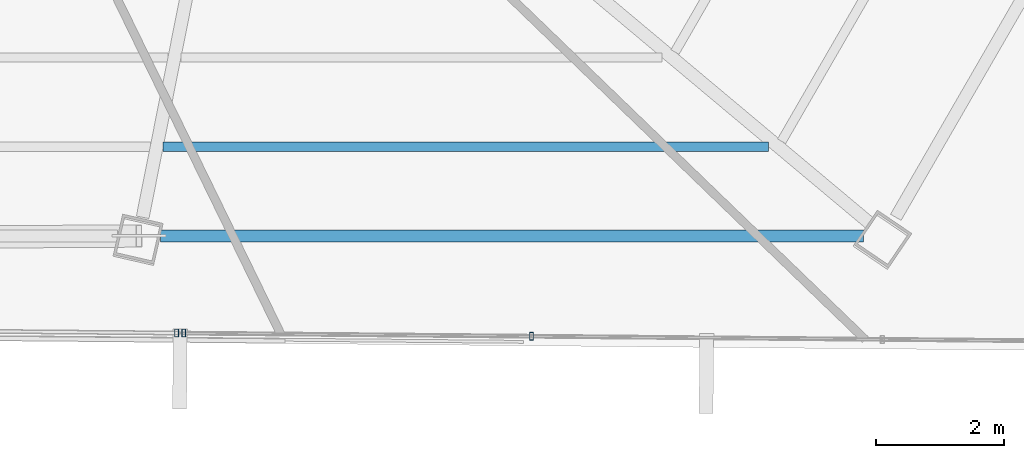
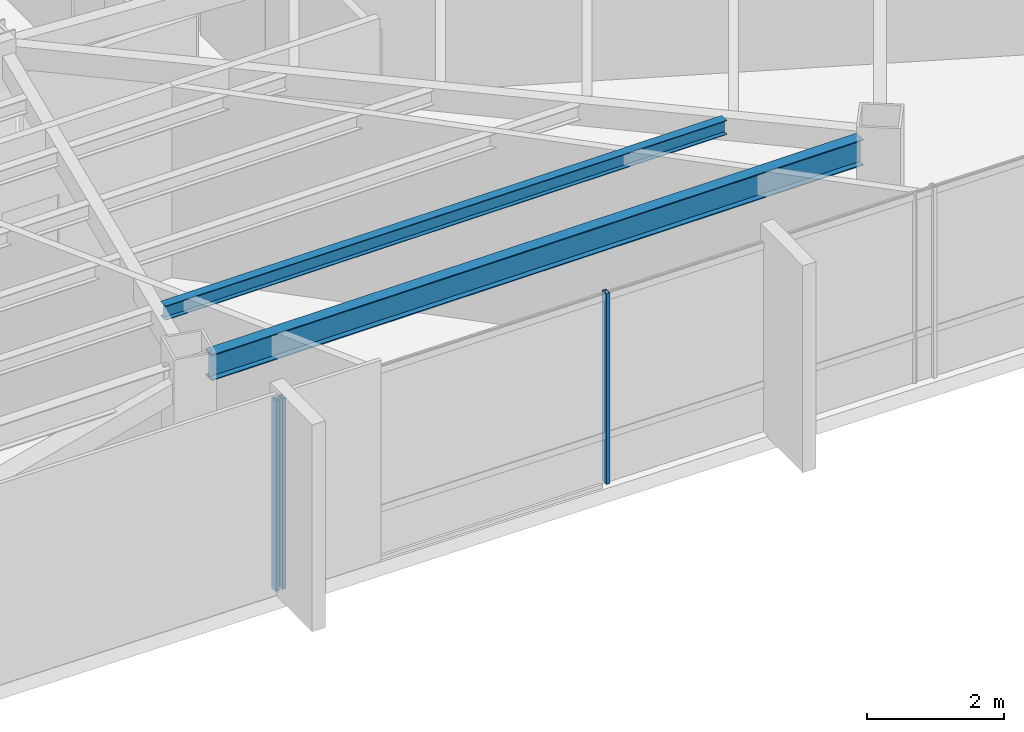
# One storey, part 21 of 46: 3 members, 2 beams, 2 elements without a shape of their own.
"""IFC4 building model written with IfcOpenShell, lengths in metres."""

import ifcopenshell
import ifcopenshell.guid

model = None  # the IFC model being written
_history = None  # IfcOwnerHistory: only IFC2X3 demands one
_inside = {}  # id of a spatial element -> (the spatial element, [elements in it])
_under = {}  # id of a project, library or spatial element -> (it, [spatial elements below it])
_declared = {}  # id of a project -> (the project, [libraries it declares])
_typed = {}  # id of a type object -> (the type object, [elements of that type])
_made_of = {}  # id of a material, layer set ... -> (it, [elements and type objects made of it])


def new_model(schema):
    """Start an empty IFC model of exactly this schema.

    Asked for "IFC4X3", IfcOpenShell would pick the latest addendum, in which some entities
    have other attributes; the version numbers below select the first issue.
    IFC2X3 requires an IfcOwnerHistory on every rooted entity: one is made here for all.
    """
    global model, _history
    if schema == "IFC4X3":
        model = ifcopenshell.file(schema_version=(4, 3, 0, 0))
    else:
        model = ifcopenshell.file(schema=schema)
    _inside.clear()
    _under.clear()
    _declared.clear()
    _typed.clear()
    _made_of.clear()
    _history = None
    if model.schema == "IFC2X3":
        org = make("IfcOrganization", Name="unknown")
        user = make(
            "IfcPersonAndOrganization",
            ThePerson=make("IfcPerson", FamilyName="unknown"),
            TheOrganization=org,
        )
        app = make(
            "IfcApplication",
            ApplicationDeveloper=org,
            Version="unknown",
            ApplicationFullName="unknown",
            ApplicationIdentifier="unknown",
        )
        _history = make(
            "IfcOwnerHistory",
            OwningUser=user,
            OwningApplication=app,
            ChangeAction="ADDED",
            CreationDate=0,
        )
    return model


def make(cls, **values):
    """One entity of the class cls with the attributes given. An attribute that is None is left unset."""
    return model.create_entity(
        cls, **{name: value for name, value in values.items() if value is not None}
    )


def rooted(cls, **values):
    """An entity with a GlobalId (a new one), such as an element, a storey or a relation."""
    return make(cls, GlobalId=ifcopenshell.guid.new(), OwnerHistory=_history, **values)


def si_unit(unit_type, name, prefix=None):
    """IfcSIUnit, for example si_unit("LENGTHUNIT", "METRE", prefix="MILLI")."""
    return make("IfcSIUnit", UnitType=unit_type, Prefix=prefix, Name=name)


def assignment(units):
    """IfcUnitAssignment: the units of a project."""
    return None if units is None else make("IfcUnitAssignment", Units=units)


def point(xyz):
    """IfcCartesianPoint."""
    return None if xyz is None else make("IfcCartesianPoint", Coordinates=xyz)


def direction(xyz):
    """IfcDirection."""
    return None if xyz is None else make("IfcDirection", DirectionRatios=xyz)


def frame(location, z_axis=None, x_axis=None):
    """IfcAxis2Placement3D, a coordinate frame: its origin and axes. An axis left out is left unset."""
    return make(
        "IfcAxis2Placement3D",
        Location=point(location),
        Axis=direction(z_axis),
        RefDirection=direction(x_axis),
    )


def frame_2d(location, x_axis=None):
    """IfcAxis2Placement2D, a coordinate frame in the plane: its origin and x axis."""
    return make(
        "IfcAxis2Placement2D", Location=point(location), RefDirection=direction(x_axis)
    )


def origin():
    """The frame at (0, 0, 0) with its axes left unset."""
    return frame((0.0, 0.0, 0.0))


def origin_2d():
    """The frame at (0, 0) in the plane with its x axis left unset."""
    return frame_2d((0.0, 0.0))


def place(relative_to, where):
    """IfcLocalPlacement: puts the frame where relative to a parent placement (None: the world)."""
    return make(
        "IfcLocalPlacement", PlacementRelTo=relative_to, RelativePlacement=where
    )


def context(
    kind, dimensions, precision=None, world=None, true_north=None, identifier=None
):
    """IfcGeometricRepresentationContext, for example the 3D "Model" context."""
    return make(
        "IfcGeometricRepresentationContext",
        ContextIdentifier=identifier,
        ContextType=kind,
        CoordinateSpaceDimension=dimensions,
        Precision=precision,
        WorldCoordinateSystem=world,
        TrueNorth=true_north,
    )


def subcontext(parent, identifier, kind, view, scale=None):
    """IfcGeometricRepresentationSubContext, for example "Body" below "Model"."""
    return make(
        "IfcGeometricRepresentationSubContext",
        ContextIdentifier=identifier,
        ContextType=kind,
        ParentContext=parent,
        TargetScale=scale,
        TargetView=view,
    )


def project(units=None, contexts=None):
    """IfcProject with its units and contexts."""
    return rooted(
        "IfcProject",
        Name="project",
        RepresentationContexts=contexts,
        UnitsInContext=assignment(units),
    )


def spatial(cls, under=None, at=None, **own):
    """A site, building, storey or space (cls), placed at a placement, below another one or the project."""
    s = rooted(cls, ObjectPlacement=at, **own)
    if under is not None:
        _under.setdefault(under.id(), (under, []))[1].append(s)
    return s


def profile(cls, at=None, kind="AREA", **sizes):
    """A parametric profile (cls). Its sizes go by their IFC names, for example OverallWidth=200.0."""
    return make(cls, ProfileType=kind, Position=at, **sizes)


def hollow_rectangle(**sizes):
    """IfcRectangleHollowProfileDef."""
    return profile("IfcRectangleHollowProfileDef", **sizes)


def i_section(**sizes):
    """IfcIShapeProfileDef."""
    return profile("IfcIShapeProfileDef", **sizes)


def extrude(swept, where, along, depth):
    """IfcExtrudedAreaSolid: the profile swept, set in the frame where, extruded along a direction by depth."""
    return make(
        "IfcExtrudedAreaSolid",
        SweptArea=swept,
        Position=where,
        ExtrudedDirection=direction(along),
        Depth=depth,
    )


def shape(context_of_items, identifier, shape_type, items):
    """IfcShapeRepresentation: the items that make up one representation, for example the "Body"."""
    return make(
        "IfcShapeRepresentation",
        ContextOfItems=context_of_items,
        RepresentationIdentifier=identifier,
        RepresentationType=shape_type,
        Items=items,
    )


def source(mapping_origin, context_of_items, identifier, shape_type, items):
    """IfcRepresentationMap: a shape defined once, which mapped items show again and again."""
    return make(
        "IfcRepresentationMap",
        MappingOrigin=mapping_origin,
        MappedRepresentation=shape(context_of_items, identifier, shape_type, items),
    )


def transform(
    local_origin,
    x_axis=None,
    y_axis=None,
    z_axis=None,
    scale=None,
    scale2=None,
    scale3=None,
    uniform=True,
):
    """IfcCartesianTransformationOperator3D, or its non-uniform kind. x_axis, y_axis, z_axis: its Axis1, 2, 3."""
    if uniform:
        return make(
            "IfcCartesianTransformationOperator3D",
            Axis1=direction(x_axis),
            Axis2=direction(y_axis),
            LocalOrigin=point(local_origin),
            Scale=scale,
            Axis3=direction(z_axis),
        )
    return make(
        "IfcCartesianTransformationOperator3DnonUniform",
        Axis1=direction(x_axis),
        Axis2=direction(y_axis),
        LocalOrigin=point(local_origin),
        Scale=scale,
        Axis3=direction(z_axis),
        Scale2=scale2,
        Scale3=scale3,
    )


def mapped(mapping_source, mapping_target):
    """IfcMappedItem: shows the shape of a source again, moved by a transform."""
    return make(
        "IfcMappedItem", MappingSource=mapping_source, MappingTarget=mapping_target
    )


def material(Name=None, Category=None):
    """IfcMaterial."""
    return make("IfcMaterial", Name=Name, Category=Category)


def material_profile(
    of_material, cross_section, Name=None, Category=None, Priority=None
):
    """IfcMaterialProfile: a cross section and its material."""
    return make(
        "IfcMaterialProfile",
        Name=Name,
        Material=of_material,
        Profile=cross_section,
        Priority=Priority,
        Category=Category,
    )


def profile_set(profiles, Name=None, composite=None):
    """IfcMaterialProfileSet."""
    return make(
        "IfcMaterialProfileSet",
        Name=Name,
        MaterialProfiles=profiles,
        CompositeProfile=composite,
    )


def made_of(thing, what):
    """Note that an element or type object is made of a material, layer set ...; save() writes the relation."""
    if what is not None:
        _made_of.setdefault(what.id(), (what, []))[1].append(thing)
    return thing


def type_object(cls, material=None, **own):
    """A type object (cls), such as IfcWallType, which elements share."""
    return made_of(rooted(cls, **own), material)


def type_shapes(of_type, sources):
    """Give a type object the sources (RepresentationMaps) that its elements show as mapped items."""
    of_type.RepresentationMaps = sources


def element(
    cls,
    number,
    at=None,
    inside=None,
    cuts=None,
    type_object=None,
    material=None,
    context=None,
    identifier="Body",
    shape_type=None,
    held_by="IfcProductDefinitionShape",
    body=None,
    shapes=None,
    **own,
):
    """One element of the class cls, such as IfcWall. Its Tag is "e" and its number.

    at: its placement. inside: the storey or other place that contains it. cuts: it is an
    opening in that element (IfcRelVoidsElement). A single representation is given by context,
    identifier, shape_type and body (its items); several are given by shapes. held_by: the class
    of the entity that holds the representations. save() writes the other relations.
    """
    e = rooted(cls, Tag="e%d" % number, ObjectPlacement=at, **own)
    if body is not None:
        shapes = [shape(context, identifier, shape_type, body)]
    if shapes is not None:
        e.Representation = make(held_by, Representations=shapes)
    if inside is not None:
        _inside.setdefault(inside.id(), (inside, []))[1].append(e)
    if cuts is not None:
        rooted(
            "IfcRelVoidsElement", RelatingBuildingElement=cuts, RelatedOpeningElement=e
        )
    if type_object is not None:
        _typed.setdefault(type_object.id(), (type_object, []))[1].append(e)
    return made_of(e, material)


def aggregate(whole, parts):
    """IfcRelAggregates: a whole, such as a stair, and the parts it consists of."""
    return rooted("IfcRelAggregates", RelatingObject=whole, RelatedObjects=parts)


def save(model, path):
    """Write the relations noted so far, then the file.

    IfcRelAggregates (storeys below a building ...), IfcRelContainedInSpatialStructure (elements
    in a storey), IfcRelDefinesByType, IfcRelAssociatesMaterial and IfcRelDeclares: one each for
    every whole, place, type object, material and project.
    """
    for whole, parts in _under.values():
        aggregate(whole, parts)
    for where, things in _inside.values():
        rooted(
            "IfcRelContainedInSpatialStructure",
            RelatedElements=things,
            RelatingStructure=where,
        )
    for kind, things in _typed.values():
        rooted("IfcRelDefinesByType", RelatedObjects=things, RelatingType=kind)
    for what, things in _made_of.values():
        rooted("IfcRelAssociatesMaterial", RelatedObjects=things, RelatingMaterial=what)
    for by, libraries in _declared.values():
        rooted("IfcRelDeclares", RelatingContext=by, RelatedDefinitions=libraries)
    model.write(path)


model = new_model("IFC4")

# Units and contexts
model_context = context("Model", 3, precision=1e-05, world=origin(), true_north=direction((0.0, 1.0)))
body_context = subcontext(model_context, "Body", "Model", "MODEL_VIEW")
ifc_project = project(units=[si_unit("LENGTHUNIT", "METRE"), si_unit("AREAUNIT", "SQUARE_METRE"), si_unit("VOLUMEUNIT", "CUBIC_METRE"), si_unit("PLANEANGLEUNIT", "RADIAN"), si_unit("MASSUNIT", "GRAM", prefix="KILO")], contexts=[model_context])

# Site, building, storey
site_placement = place(None, origin())
site = spatial("IfcSite", under=ifc_project, at=site_placement, CompositionType="ELEMENT")
building_placement = place(site_placement, origin())
building = spatial("IfcBuilding", under=site, at=building_placement, Name="Caelisora Broadcast Tower", CompositionType="ELEMENT")
storey_placement = place(building_placement, frame((0.0, 0.0, 237.14990234375)))
storey = spatial("IfcBuildingStorey", under=building, at=storey_placement, Name="L62", CompositionType="ELEMENT", Elevation=237.14990234375)

# Beams
ifc_material_1 = material(Name="Steel Grade 350 (AS/NZS 3679.1)", Category="steel")
ifc_material_profile_1 = material_profile(ifc_material_1, i_section(OverallWidth=0.19091796875, OverallDepth=0.46044921875, WebThickness=0.010009765625, FlangeThickness=0.01611328125, at=origin_2d()), Name="Steel Grade 350 (AS/NZS 3679.1)")
ifc_profile_set_1 = profile_set([ifc_material_profile_1], Name="Steel Grade 350 (AS/NZS 3679.1)")
beam_type_1 = type_object("IfcBeamType", Name="PG06", PredefinedType="BEAM", material=ifc_profile_set_1)
shared_shape_1 = source(origin(), body_context, "Body", "SweptSolid", [
    extrude(i_section(OverallWidth=0.19091796875, OverallDepth=0.46044921875, WebThickness=0.010009765625, FlangeThickness=0.01611328125, at=origin_2d()), origin(), (0.0, 0.0, 1.0), 10.9931640625),
])
type_shapes(beam_type_1, [shared_shape_1])
beam_1_placement = place(storey_placement, frame((44.172607421875, 9.02294921875, 3.169921875), z_axis=(1.0, 0.0, 0.0), x_axis=(0.0, 1.0, 0.0)))
element("IfcBeam", 1, at=beam_1_placement, inside=storey, type_object=beam_type_1, Name="L62 beam PG06", PredefinedType="BEAM", context=body_context, shape_type="MappedRepresentation", body=[
    mapped(shared_shape_1, transform((0.0, 0.0, 0.0), scale=1.0)),
])
ifc_material_profile_2 = material_profile(ifc_material_1, i_section(OverallWidth=0.14599609375, OverallDepth=0.256103515625, WebThickness=0.00634765625, FlangeThickness=0.010986328125, at=origin_2d()), Name="Steel Grade 350 (AS/NZS 3679.1)")
ifc_profile_set_2 = profile_set([ifc_material_profile_2], Name="Steel Grade 350 (AS/NZS 3679.1)")
beam_type_2 = type_object("IfcBeamType", Name="SB04", PredefinedType="JOIST", material=ifc_profile_set_2)
shared_shape_2 = source(origin(), body_context, "Body", "SweptSolid", [
    extrude(i_section(OverallWidth=0.14599609375, OverallDepth=0.256103515625, WebThickness=0.00634765625, FlangeThickness=0.010986328125, at=origin_2d()), origin(), (0.0, 0.0, 1.0), 9.472412109375),
])
type_shapes(beam_type_2, [shared_shape_2])
beam_2_placement = place(storey_placement, frame((44.211181640625, 10.419189453125, 3.27197265625), z_axis=(1.0, 0.0, 0.0), x_axis=(0.0, 1.0, 0.0)))
element("IfcBeam", 2, at=beam_2_placement, inside=storey, type_object=beam_type_2, Name="L62 beam SB04", PredefinedType="JOIST", context=body_context, shape_type="MappedRepresentation", body=[
    mapped(shared_shape_2, transform((0.0, 0.0, 0.0), scale=1.0)),
])

# Curtain wall, members
ifc_material_2 = material(Name="Unitised Aluminium and Low-E Glass Curtain Wall", Category="glass")
curtain_wall_type_1 = type_object("IfcCurtainWallType", Name="CW-Z5", PredefinedType="NOTDEFINED", material=ifc_material_2)
curtain_wall_1_placement = place(storey_placement, origin())
curtain_wall_1 = element("IfcCurtainWall", 3, at=curtain_wall_1_placement, inside=storey, type_object=curtain_wall_type_1, Name="L62 curtain wall CW-Z5", PredefinedType="NOTDEFINED")
ifc_material_3 = material(Name="Aluminium 6063-T6 Anodised Terracotta Bronze", Category="aluminium")
ifc_material_profile_3 = material_profile(ifc_material_3, hollow_rectangle(XDim=0.06005859375, YDim=0.1201171875, WallThickness=0.0029296875, at=origin_2d()), Name="Aluminium 6063-T6 Anodised Terracotta Bronze")
ifc_profile_set_3 = profile_set([ifc_material_profile_3], Name="Aluminium 6063-T6 Anodised Terracotta Bronze")
member_type = type_object("IfcMemberType", Name="CWM-04", PredefinedType="MULLION", material=ifc_profile_set_3)
shared_shape_3 = source(origin(), body_context, "Body", "SweptSolid", [
    extrude(hollow_rectangle(XDim=0.06005859375, YDim=0.1201171875, WallThickness=0.0029296875, at=origin_2d()), origin(), (0.0, 0.0, 1.0), 3.400146484375),
])
type_shapes(member_type, [shared_shape_3])
member_1_placement = place(storey_placement, frame((49.97314453125, 7.455078125, 0.0), z_axis=(0.0, 0.0, 1.0), x_axis=(1.0, 0.0, 0.0)))
member_1 = element("IfcMember", 4, at=member_1_placement, type_object=member_type, Name="L62-CW-B05 mullion #2", PredefinedType="MULLION", context=body_context, shape_type="MappedRepresentation", body=[
    mapped(shared_shape_3, transform((0.0, 0.0, 0.0), scale=1.0)),
])
member_2_placement = place(storey_placement, frame((44.535400390625, 7.503662109375, 0.0), z_axis=(0.0, 0.0, 1.0), x_axis=(1.0, 0.0, 0.0)))
member_2 = element("IfcMember", 5, at=member_2_placement, type_object=member_type, Name="L62-CW-B05 mullion #3", PredefinedType="MULLION", context=body_context, shape_type="MappedRepresentation", body=[
    mapped(shared_shape_3, transform((0.0, 0.0, 0.0), scale=1.0)),
])
aggregate(curtain_wall_1, [member_1, member_2])

# Curtain wall, member
ifc_material_4 = material(Name="Unitised Aluminium Insulated Shadow-Box Spandrel Curtain Wall", Category="aluminium")
curtain_wall_type_2 = type_object("IfcCurtainWallType", Name="CW-SP3", PredefinedType="NOTDEFINED", material=ifc_material_4)
curtain_wall_2_placement = place(storey_placement, origin())
curtain_wall_2 = element("IfcCurtainWall", 6, at=curtain_wall_2_placement, inside=storey, type_object=curtain_wall_type_2, Name="L62 curtain wall CW-SP3", PredefinedType="NOTDEFINED")
member_3_placement = place(storey_placement, frame((44.42529296875, 7.504638671875, 0.0), z_axis=(0.0, 0.0, 1.0), x_axis=(1.0, 0.0, 0.0)))
member_3 = element("IfcMember", 7, at=member_3_placement, type_object=member_type, Name="L62-CW-B06 mullion #0", PredefinedType="MULLION", context=body_context, shape_type="MappedRepresentation", body=[
    mapped(shared_shape_3, transform((0.0, 0.0, 0.0), scale=1.0)),
])
aggregate(curtain_wall_2, [member_3])

save(model, "model.ifc")
